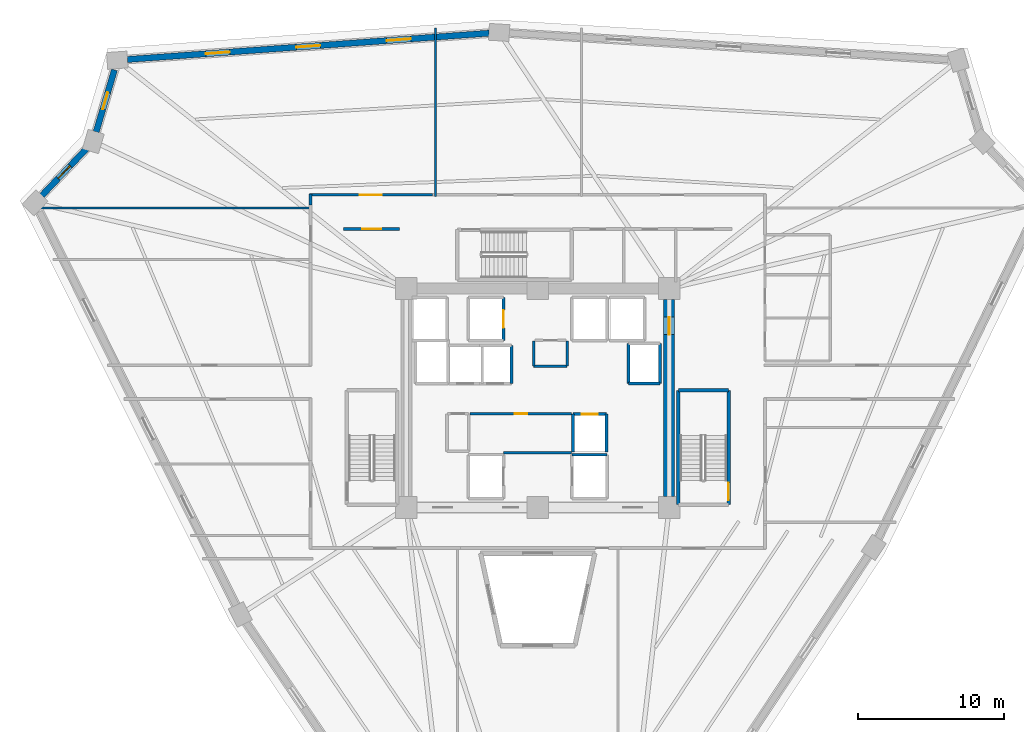
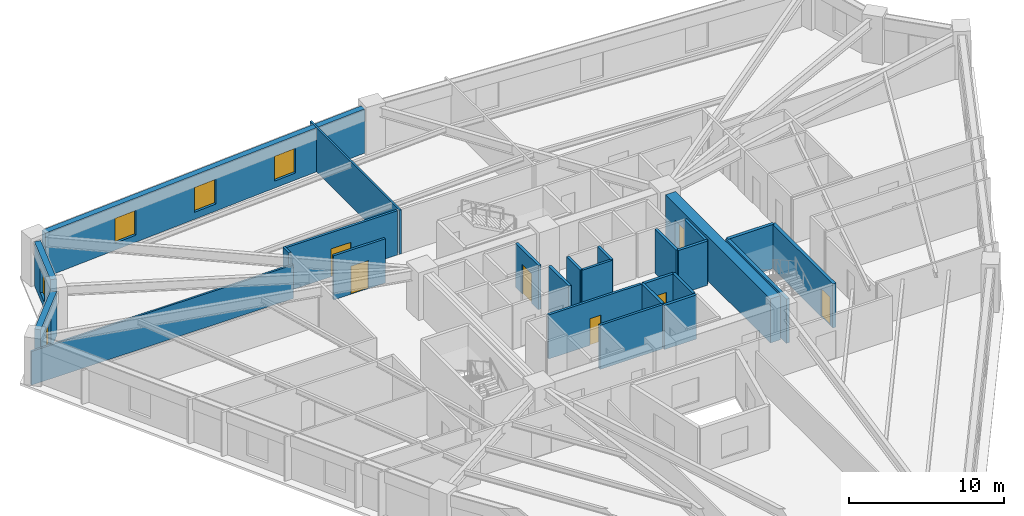
# One storey, part 5 of 8: 26 walls, 7 doors, 5 windows, 12 openings.
"""IFC4 building model written with IfcOpenShell, lengths in metres."""

from ifc_helpers import new_model, si_unit, direction, frame, frame_2d, origin, place, context, subcontext, project, spatial, rectangle, extrude, source, transform, mapped, material, layer, layer_set, type_object, element, fill, save


model = new_model("IFC4")

# Units and contexts
model_context = context("Model", 3, precision=1e-05, world=origin(), true_north=direction((0.0, 1.0)))
body_context = subcontext(model_context, "Body", "Model", "MODEL_VIEW")
ifc_project = project(units=[si_unit("LENGTHUNIT", "METRE"), si_unit("AREAUNIT", "SQUARE_METRE"), si_unit("VOLUMEUNIT", "CUBIC_METRE"), si_unit("PLANEANGLEUNIT", "RADIAN"), si_unit("MASSUNIT", "GRAM", prefix="KILO")], contexts=[model_context])

# Site, building, storey
site_placement = place(None, origin())
site = spatial("IfcSite", under=ifc_project, at=site_placement, CompositionType="ELEMENT")
building_placement = place(site_placement, origin())
building = spatial("IfcBuilding", under=site, at=building_placement, Name="Liaohun Quay Tower", CompositionType="ELEMENT")
storey_placement = place(building_placement, frame((0.0, 0.0, 181.5)))
storey = spatial("IfcBuildingStorey", under=building, at=storey_placement, Name="L47", CompositionType="ELEMENT", Elevation=181.5)

# Wall, opening, door
ifc_material_1 = material(Name="Concrete C60", Category="concrete")
ifc_layer_1 = layer(ifc_material_1, 0.75, Name="Concrete C60", Category="concrete")
ifc_layer_set_1 = layer_set([ifc_layer_1], Name="Concrete C60")
wall_type_1 = type_object("IfcWallType", Name="WAL-COR-Z2", PredefinedType="SHEAR", material=ifc_layer_set_1)
wall_1_placement = place(storey_placement, frame((69.0, 60.75, 0.0), z_axis=(0.0, 0.0, 1.0), x_axis=(0.0, -1.0, 0.0)))
wall_1 = element("IfcWall", 1, at=wall_1_placement, inside=storey, type_object=wall_type_1, Name="L47 Central Core Shear Wall E", PredefinedType="SHEAR", context=body_context, shape_type="SweptSolid", body=[
    extrude(rectangle(XDim=13.5, YDim=0.75, at=frame_2d((6.75, 0.0))), origin(), (0.0, 0.0, 1.0), 3.469970703125),
])
shared_shape_1 = source(origin(), body_context, "Body", "SweptSolid", [
    extrude(rectangle(XDim=1.199951171875, YDim=2.199951171875, at=frame_2d((0.60009765625, 1.10009765625))), frame((0.0, 0.385009765625, 0.0), z_axis=(0.0, -1.0, 0.0), x_axis=(1.0, 0.0, 0.0)), (0.0, 0.0, 1.0), 0.77001953125),
])
opening_1_placement = place(wall_1_placement, frame((1.199951171875, 0.0, 0.0)))
opening_1 = element("IfcOpeningElement", 2, at=opening_1_placement, cuts=wall_1, Name="Opening SD1", PredefinedType="OPENING", context=body_context, shape_type="MappedRepresentation", body=[
    mapped(shared_shape_1, transform((0.0, 0.0, 0.0), x_axis=(1.0, 0.0, 0.0), y_axis=(0.0, 1.0, 0.0), z_axis=(0.0, 0.0, 1.0), scale=1.0)),
])
ifc_material_2 = material(Name="Galvanised steel fire door", Category="steel")
door_type_1 = type_object("IfcDoorType", Name="DOR-STR-1200", OperationType="NOTDEFINED", PredefinedType="DOOR", material=ifc_material_2)
shared_shape_2 = source(origin(), body_context, "Body", "SweptSolid", [
    extrude(rectangle(XDim=1.199951171875, YDim=2.199951171875, at=frame_2d((0.60009765625, 1.10009765625))), frame((0.0, 0.02490234375, 0.0), z_axis=(0.0, -1.0, 0.0), x_axis=(1.0, 0.0, 0.0)), (0.0, 0.0, 1.0), 0.050048828125),
])
door_1_placement = place(opening_1_placement, origin())
door_1 = element("IfcDoor", 3, at=door_1_placement, inside=storey, type_object=door_type_1, Name="L47 North-East Core Lobby Smokeproof Door", OperationType="SINGLE_SWING_LEFT", OverallHeight=2.199951171875, OverallWidth=1.199951171875, PredefinedType="DOOR", context=body_context, shape_type="MappedRepresentation", body=[
    mapped(shared_shape_2, transform((0.0, 0.0, 0.0), x_axis=(1.0, 0.0, 0.0), y_axis=(0.0, 1.0, 0.0), z_axis=(0.0, 0.0, 1.0), scale=1.0)),
])
fill(opening_1, door_1)

# Wall, openings, windows
ifc_material_3 = material(Name="Precast concrete C50 insulated sandwich", Category="concrete")
ifc_layer_2 = layer(ifc_material_3, 0.419921875, Name="Precast concrete C50 insulated sandwich", Category="concrete")
ifc_layer_set_2 = layer_set([ifc_layer_2], Name="Precast concrete C50 insulated sandwich")
wall_type_2 = type_object("IfcWallType", Name="WAL-EXT-Z12", PredefinedType="SOLIDWALL", material=ifc_layer_set_2)
wall_2_placement = place(storey_placement, frame((56.66796875, 78.98291015625, 0.0), z_axis=(0.0, 0.0, 1.0), x_axis=(-0.997363346267, -0.07256965979, 0.0)))
wall_2 = element("IfcWall", 4, at=wall_2_placement, inside=storey, type_object=wall_type_2, Name="L47 Brutalist Precast Pier Wall 07", PredefinedType="SOLIDWALL", context=body_context, shape_type="SweptSolid", body=[
    extrude(rectangle(XDim=24.831298828125, YDim=0.419921875, at=frame_2d((12.41552734375, 0.0))), origin(), (0.0, 0.0, 1.0), 3.469970703125),
])
shared_shape_3 = source(origin(), body_context, "Body", "SweptSolid", [
    extrude(rectangle(XDim=1.64990234375, YDim=1.949951171875, at=frame_2d((0.824951171875, 0.97509765625))), frame((0.0, 0.219970703125, 0.0), z_axis=(0.0, -1.0, 0.0), x_axis=(1.0, 0.0, 0.0)), (0.0, 0.0, 1.0), 0.43994140625),
])
opening_2_placement = place(wall_2_placement, frame((5.383056640625, 0.0, 0.550048828125)))
opening_2 = element("IfcOpeningElement", 5, at=opening_2_placement, cuts=wall_2, Name="Opening W02", PredefinedType="OPENING", context=body_context, shape_type="MappedRepresentation", body=[
    mapped(shared_shape_3, transform((0.0, 0.0, 0.0), x_axis=(1.0, 0.0, 0.0), y_axis=(0.0, 1.0, 0.0), z_axis=(0.0, 0.0, 1.0), scale=1.0)),
])
opening_3_placement = place(wall_2_placement, frame((11.591064453125, 0.0, 0.550048828125)))
opening_3 = element("IfcOpeningElement", 6, at=opening_3_placement, cuts=wall_2, Name="Opening W02", PredefinedType="OPENING", context=body_context, shape_type="MappedRepresentation", body=[
    mapped(shared_shape_3, transform((0.0, 0.0, 0.0), x_axis=(1.0, 0.0, 0.0), y_axis=(0.0, 1.0, 0.0), z_axis=(0.0, 0.0, 1.0), scale=1.0)),
])
opening_4_placement = place(wall_2_placement, frame((17.799072265625, 0.0, 0.550048828125)))
opening_4 = element("IfcOpeningElement", 7, at=opening_4_placement, cuts=wall_2, Name="Opening W02", PredefinedType="OPENING", context=body_context, shape_type="MappedRepresentation", body=[
    mapped(shared_shape_3, transform((0.0, 0.0, 0.0), x_axis=(1.0, 0.0, 0.0), y_axis=(0.0, 1.0, 0.0), z_axis=(0.0, 0.0, 1.0), scale=1.0)),
])
ifc_material_4 = material(Name="Triple Low-E argon glazing in thermally broken aluminium", Category="aluminium")
window_type_1 = type_object("IfcWindowType", Name="WIN-PUN-Z2", PartitioningType="DOUBLE_PANEL_VERTICAL", PredefinedType="WINDOW", material=ifc_material_4)
shared_shape_4 = source(origin(), body_context, "Body", "SweptSolid", [
    extrude(rectangle(XDim=1.64990234375, YDim=1.949951171875, at=frame_2d((0.824951171875, 0.97509765625))), frame((0.0, 0.030029296875, 0.0), z_axis=(0.0, -1.0, 0.0), x_axis=(1.0, 0.0, 0.0)), (0.0, 0.0, 1.0), 0.06005859375),
])
window_1_placement = place(opening_2_placement, origin())
window_1 = element("IfcWindow", 8, at=window_1_placement, inside=storey, type_object=window_type_1, Name="L47 Recessed Cold-Climate Punched Window 07-1", OverallHeight=1.949951171875, OverallWidth=1.64990234375, PartitioningType="DOUBLE_PANEL_VERTICAL", PredefinedType="WINDOW", context=body_context, shape_type="MappedRepresentation", body=[
    mapped(shared_shape_4, transform((0.0, 0.0, 0.0), x_axis=(1.0, 0.0, 0.0), y_axis=(0.0, 1.0, 0.0), z_axis=(0.0, 0.0, 1.0), scale=1.0)),
])
fill(opening_2, window_1)
window_2_placement = place(opening_3_placement, origin())
window_2 = element("IfcWindow", 9, at=window_2_placement, inside=storey, type_object=window_type_1, Name="L47 Recessed Cold-Climate Punched Window 07-2", OverallHeight=1.949951171875, OverallWidth=1.64990234375, PartitioningType="DOUBLE_PANEL_VERTICAL", PredefinedType="WINDOW", context=body_context, shape_type="MappedRepresentation", body=[
    mapped(shared_shape_4, transform((0.0, 0.0, 0.0), x_axis=(1.0, 0.0, 0.0), y_axis=(0.0, 1.0, 0.0), z_axis=(0.0, 0.0, 1.0), scale=1.0)),
])
fill(opening_3, window_2)
window_3_placement = place(opening_4_placement, origin())
window_3 = element("IfcWindow", 10, at=window_3_placement, inside=storey, type_object=window_type_1, Name="L47 Recessed Cold-Climate Punched Window 07-3", OverallHeight=1.949951171875, OverallWidth=1.64990234375, PartitioningType="DOUBLE_PANEL_VERTICAL", PredefinedType="WINDOW", context=body_context, shape_type="MappedRepresentation", body=[
    mapped(shared_shape_4, transform((0.0, 0.0, 0.0), x_axis=(1.0, 0.0, 0.0), y_axis=(0.0, 1.0, 0.0), z_axis=(0.0, 0.0, 1.0), scale=1.0)),
])
fill(opening_4, window_3)

# Wall, opening, window
wall_3_placement = place(storey_placement, frame((31.01904296875, 76.468994140625, 0.0), z_axis=(0.0, 0.0, 1.0), x_axis=(-0.282982489087, -0.959125075717, 0.0)))
wall_3 = element("IfcWall", 11, at=wall_3_placement, inside=storey, type_object=wall_type_2, Name="L47 Brutalist Precast Pier Wall 08", PredefinedType="SOLIDWALL", context=body_context, shape_type="SweptSolid", body=[
    extrude(rectangle(XDim=4.420654296875, YDim=0.419921875, at=frame_2d((2.21044921875, 0.0))), origin(), (0.0, 0.0, 1.0), 3.469970703125),
])
shared_shape_5 = source(origin(), body_context, "Body", "SweptSolid", [
    extrude(rectangle(XDim=1.199951171875, YDim=1.89990234375, at=frame_2d((0.60009765625, 0.949951171875))), frame((0.0, 0.219970703125, 0.0), z_axis=(0.0, -1.0, 0.0), x_axis=(1.0, 0.0, 0.0)), (0.0, 0.0, 1.0), 0.43994140625),
])
opening_5_placement = place(wall_3_placement, frame((1.610107421875, 0.0, 0.550048828125)))
opening_5 = element("IfcOpeningElement", 12, at=opening_5_placement, cuts=wall_3, Name="Opening W05", PredefinedType="OPENING", context=body_context, shape_type="MappedRepresentation", body=[
    mapped(shared_shape_5, transform((0.0, 0.0, 0.0), x_axis=(1.0, 0.0, 0.0), y_axis=(0.0, 1.0, 0.0), z_axis=(0.0, 0.0, 1.0), scale=1.0)),
])
ifc_material_5 = material(Name="Triple Low-E corner notch glazing", Category="glass")
window_type_2 = type_object("IfcWindowType", Name="WIN-NOTCH", PartitioningType="SINGLE_PANEL", PredefinedType="WINDOW", material=ifc_material_5)
shared_shape_6 = source(origin(), body_context, "Body", "SweptSolid", [
    extrude(rectangle(XDim=1.199951171875, YDim=1.89990234375, at=frame_2d((0.60009765625, 0.949951171875))), frame((0.0, 0.030029296875, 0.0), z_axis=(0.0, -1.0, 0.0), x_axis=(1.0, 0.0, 0.0)), (0.0, 0.0, 1.0), 0.06005859375),
])
window_4_placement = place(opening_5_placement, origin())
window_4 = element("IfcWindow", 13, at=window_4_placement, inside=storey, type_object=window_type_2, Name="L47 Corner Notch Window W05-08", OverallHeight=1.89990234375, OverallWidth=1.199951171875, PartitioningType="SINGLE_PANEL", PredefinedType="WINDOW", context=body_context, shape_type="MappedRepresentation", body=[
    mapped(shared_shape_6, transform((0.0, 0.0, 0.0), x_axis=(1.0, 0.0, 0.0), y_axis=(0.0, 1.0, 0.0), z_axis=(0.0, 0.0, 1.0), scale=1.0)),
])
fill(opening_5, window_4)

wall_4_placement = place(storey_placement, frame((29.096923828125, 71.06689453125, 0.0), z_axis=(0.0, 0.0, 1.0), x_axis=(-0.689235021259, -0.724537842676, 0.0)))
wall_4 = element("IfcWall", 14, at=wall_4_placement, inside=storey, type_object=wall_type_2, Name="L47 Brutalist Precast Pier Wall 09", PredefinedType="SOLIDWALL", context=body_context, shape_type="SweptSolid", body=[
    extrude(rectangle(XDim=4.412109375, YDim=0.419921875, at=frame_2d((2.2060546875, 0.0))), origin(), (0.0, 0.0, 1.0), 3.469970703125),
])
opening_6_placement = place(wall_4_placement, frame((1.60595703125, 0.0, 0.550048828125)))
opening_6 = element("IfcOpeningElement", 15, at=opening_6_placement, cuts=wall_4, Name="Opening W05", PredefinedType="OPENING", context=body_context, shape_type="MappedRepresentation", body=[
    mapped(shared_shape_5, transform((0.0, 0.0, 0.0), x_axis=(1.0, 0.0, 0.0), y_axis=(0.0, 1.0, 0.0), z_axis=(0.0, 0.0, 1.0), scale=1.0)),
])
window_5_placement = place(opening_6_placement, origin())
window_5 = element("IfcWindow", 16, at=window_5_placement, inside=storey, type_object=window_type_2, Name="L47 Corner Notch Window W05-09", OverallHeight=1.89990234375, OverallWidth=1.199951171875, PartitioningType="SINGLE_PANEL", PredefinedType="WINDOW", context=body_context, shape_type="MappedRepresentation", body=[
    mapped(shared_shape_6, transform((0.0, 0.0, 0.0), x_axis=(1.0, 0.0, 0.0), y_axis=(0.0, 1.0, 0.0), z_axis=(0.0, 0.0, 1.0), scale=1.0)),
])
fill(opening_6, window_5)

# Wall, opening, door
ifc_material_6 = material(Name="Autoclaved aerated concrete blockwork", Category="masonry")
ifc_layer_3 = layer(ifc_material_6, 0.179931640625, Name="Autoclaved aerated concrete blockwork", Category="masonry")
ifc_layer_set_3 = layer_set([ifc_layer_3], Name="Autoclaved aerated concrete blockwork")
wall_type_3 = type_object("IfcWallType", Name="WAL-PRT-COR", PredefinedType="PARTITIONING", material=ifc_layer_set_3)
wall_5_placement = place(storey_placement, frame((55.3701171875, 52.919921875, 0.0), z_axis=(0.0, 0.0, 1.0), x_axis=(1.0, 0.0, 0.0)))
wall_5 = element("IfcWall", 17, at=wall_5_placement, inside=storey, type_object=wall_type_3, Name="L47 Interior Partition Wall 001", PredefinedType="PARTITIONING", context=body_context, shape_type="SweptSolid", body=[
    extrude(rectangle(XDim=6.929931640625, YDim=0.179931640625, at=frame_2d((3.46484375, 0.0))), origin(), (0.0, 0.0, 1.0), 3.469970703125),
])
shared_shape_7 = source(origin(), body_context, "Body", "SweptSolid", [
    extrude(rectangle(XDim=0.85009765625, YDim=2.10009765625, at=frame_2d((0.425048828125, 1.050048828125))), frame((0.0, 0.099853515625, 0.0), z_axis=(0.0, -1.0, 0.0), x_axis=(1.0, 0.0, 0.0)), (0.0, 0.0, 1.0), 0.199951171875),
])
opening_7_placement = place(wall_5_placement, frame((3.054931640625, 0.0, 0.0)))
opening_7 = element("IfcOpeningElement", 18, at=opening_7_placement, cuts=wall_5, Name="Opening AD1", PredefinedType="OPENING", context=body_context, shape_type="MappedRepresentation", body=[
    mapped(shared_shape_7, transform((0.0, 0.0, 0.0), x_axis=(1.0, 0.0, 0.0), y_axis=(0.0, 1.0, 0.0), z_axis=(0.0, 0.0, 1.0), scale=1.0)),
])
ifc_material_7 = material(Name="Steel riser inspection fire door", Category="steel")
door_type_2 = type_object("IfcDoorType", Name="DOR-SHF-850", OperationType="NOTDEFINED", PredefinedType="DOOR", material=ifc_material_7)
shared_shape_8 = source(origin(), body_context, "Body", "SweptSolid", [
    extrude(rectangle(XDim=0.85009765625, YDim=2.10009765625, at=frame_2d((0.425048828125, 1.050048828125))), frame((0.0, 0.02490234375, 0.0), z_axis=(0.0, -1.0, 0.0), x_axis=(1.0, 0.0, 0.0)), (0.0, 0.0, 1.0), 0.050048828125),
])
door_2_placement = place(opening_7_placement, origin())
door_2 = element("IfcDoor", 19, at=door_2_placement, inside=storey, type_object=door_type_2, Name="L47 Core Tenant Storage and Archive Room Door", OperationType="SINGLE_SWING_LEFT", OverallHeight=2.10009765625, OverallWidth=0.85009765625, PredefinedType="DOOR", context=body_context, shape_type="MappedRepresentation", body=[
    mapped(shared_shape_8, transform((0.0, 0.0, 0.0), x_axis=(1.0, 0.0, 0.0), y_axis=(0.0, 1.0, 0.0), z_axis=(0.0, 0.0, 1.0), scale=1.0)),
])
fill(opening_7, door_2)

wall_6_placement = place(storey_placement, frame((46.699951171875, 65.580078125, 0.0), z_axis=(0.0, 0.0, 1.0), x_axis=(1.0, 0.0, 0.0)))
wall_6 = element("IfcWall", 20, at=wall_6_placement, inside=storey, type_object=wall_type_3, Name="L47 Interior Partition Wall 009", PredefinedType="PARTITIONING", context=body_context, shape_type="SweptSolid", body=[
    extrude(rectangle(XDim=3.840087890625, YDim=0.179931640625, at=frame_2d((1.919921875, 0.0))), origin(), (0.0, 0.0, 1.0), 3.469970703125),
])
shared_shape_9 = source(origin(), body_context, "Body", "SweptSolid", [
    extrude(rectangle(XDim=1.300048828125, YDim=2.199951171875, at=frame_2d((0.64990234375, 1.10009765625))), frame((0.0, 0.099853515625, 0.0), z_axis=(0.0, -1.0, 0.0), x_axis=(1.0, 0.0, 0.0)), (0.0, 0.0, 1.0), 0.199951171875),
])
opening_8_placement = place(wall_6_placement, frame((1.27001953125, 0.0, 0.0)))
opening_8 = element("IfcOpeningElement", 21, at=opening_8_placement, cuts=wall_6, Name="Opening FD1", PredefinedType="OPENING", context=body_context, shape_type="MappedRepresentation", body=[
    mapped(shared_shape_9, transform((0.0, 0.0, 0.0), x_axis=(1.0, 0.0, 0.0), y_axis=(0.0, 1.0, 0.0), z_axis=(0.0, 0.0, 1.0), scale=1.0)),
])
ifc_material_8 = material(Name="Galvanised steel smokeproof fire door", Category="steel")
door_type_3 = type_object("IfcDoorType", Name="DOR-FFL-1300", OperationType="NOTDEFINED", PredefinedType="DOOR", material=ifc_material_8)
shared_shape_10 = source(origin(), body_context, "Body", "SweptSolid", [
    extrude(rectangle(XDim=1.300048828125, YDim=2.199951171875, at=frame_2d((0.64990234375, 1.10009765625))), frame((0.0, 0.02490234375, 0.0), z_axis=(0.0, -1.0, 0.0), x_axis=(1.0, 0.0, 0.0)), (0.0, 0.0, 1.0), 0.050048828125),
])
door_3_placement = place(opening_8_placement, origin())
door_3 = element("IfcDoor", 22, at=door_3_placement, inside=storey, type_object=door_type_3, Name="L47 West Core Vestibule Door", OperationType="SINGLE_SWING_LEFT", OverallHeight=2.199951171875, OverallWidth=1.300048828125, PredefinedType="DOOR", context=body_context, shape_type="MappedRepresentation", body=[
    mapped(shared_shape_10, transform((0.0, 0.0, 0.0), x_axis=(1.0, 0.0, 0.0), y_axis=(0.0, 1.0, 0.0), z_axis=(0.0, 0.0, 1.0), scale=1.0)),
])
fill(opening_8, door_3)

wall_7_placement = place(storey_placement, frame((44.3701171875, 67.909912109375, 0.0), z_axis=(0.0, 0.0, 1.0), x_axis=(1.0, 0.0, 0.0)))
wall_7 = element("IfcWall", 23, at=wall_7_placement, inside=storey, type_object=wall_type_3, Name="L47 Interior Partition Wall 014", PredefinedType="PARTITIONING", context=body_context, shape_type="SweptSolid", body=[
    extrude(rectangle(XDim=8.414794921875, YDim=0.179931640625, at=frame_2d((4.20751953125, 0.0))), origin(), (0.0, 0.0, 1.0), 3.469970703125),
])
shared_shape_11 = source(origin(), body_context, "Body", "SweptSolid", [
    extrude(rectangle(XDim=1.5, YDim=2.199951171875, at=frame_2d((0.75, 1.10009765625))), frame((0.0, 0.099853515625, 0.0), z_axis=(0.0, -1.0, 0.0), x_axis=(1.0, 0.0, 0.0)), (0.0, 0.0, 1.0), 0.199951171875),
])
opening_9_placement = place(wall_7_placement, frame((3.45703125, 0.0, 0.0)))
opening_9 = element("IfcOpeningElement", 24, at=opening_9_placement, cuts=wall_7, Name="Opening OD2", PredefinedType="OPENING", context=body_context, shape_type="MappedRepresentation", body=[
    mapped(shared_shape_11, transform((0.0, 0.0, 0.0), x_axis=(1.0, 0.0, 0.0), y_axis=(0.0, 1.0, 0.0), z_axis=(0.0, 0.0, 1.0), scale=1.0)),
])
ifc_material_9 = material(Name="Acoustic oak veneer double door")
door_type_4 = type_object("IfcDoorType", Name="DOR-OFF-1500", OperationType="DOUBLE_DOOR_SINGLE_SWING", PredefinedType="DOOR", material=ifc_material_9)
shared_shape_12 = source(origin(), body_context, "Body", "SweptSolid", [
    extrude(rectangle(XDim=1.5, YDim=2.199951171875, at=frame_2d((0.75, 1.10009765625))), frame((0.0, 0.02490234375, 0.0), z_axis=(0.0, -1.0, 0.0), x_axis=(1.0, 0.0, 0.0)), (0.0, 0.0, 1.0), 0.050048828125),
])
door_4_placement = place(opening_9_placement, origin())
door_4 = element("IfcDoor", 25, at=door_4_placement, inside=storey, type_object=door_type_4, Name="L47 Project Collaboration Studio 04 Door", OperationType="DOUBLE_DOOR_SINGLE_SWING", OverallHeight=2.199951171875, OverallWidth=1.5, PredefinedType="DOOR", context=body_context, shape_type="MappedRepresentation", body=[
    mapped(shared_shape_12, transform((0.0, 0.0, 0.0), x_axis=(1.0, 0.0, 0.0), y_axis=(0.0, 1.0, 0.0), z_axis=(0.0, 0.0, 1.0), scale=1.0)),
])
fill(opening_9, door_4)

# Walls
for number, where, z_axis, x_axis, name in (
    (26, (59.719970703125, 56.179931640625, 0.0), (0.0, 0.0, 1.0), (0.0, 1.0, 0.0), "L47 Interior Partition Wall 024"),
    (27, (62.010009765625, 56.179931640625, 0.0), (0.0, 0.0, 1.0), (0.0, 1.0, 0.0), "L47 Interior Partition Wall 025"),
):
    element("IfcWall", number, at=place(storey_placement, frame(where, z_axis=z_axis, x_axis=x_axis)), inside=storey, type_object=wall_type_3, Name=name, PredefinedType="PARTITIONING", context=body_context, shape_type="SweptSolid", body=[
        extrude(rectangle(XDim=1.739990234375, YDim=0.179931640625, at=frame_2d((0.8701171875, 0.0))), origin(), (0.0, 0.0, 1.0), 3.469970703125),
    ])
wall_8_placement = place(storey_placement, frame((59.719970703125, 56.179931640625, 0.0), z_axis=(0.0, 0.0, 1.0), x_axis=(1.0, 0.0, 0.0)))
element("IfcWall", 28, at=wall_8_placement, inside=storey, type_object=wall_type_3, Name="L47 Interior Partition Wall 026", PredefinedType="PARTITIONING", context=body_context, shape_type="SweptSolid", body=[
    extrude(rectangle(XDim=2.2900390625, YDim=0.179931640625, at=frame_2d((1.14501953125, 0.0))), origin(), (0.0, 0.0, 1.0), 3.469970703125),
])
wall_9_placement = place(storey_placement, frame((44.43994140625, 67.215087890625, 0.0), z_axis=(0.0, 0.0, 1.0), x_axis=(0.0, 1.0, 0.0)))
element("IfcWall", 29, at=wall_9_placement, inside=storey, type_object=wall_type_3, Name="L47 Interior Partition Wall 039", PredefinedType="PARTITIONING", context=body_context, shape_type="SweptSolid", body=[
    extrude(rectangle(XDim=0.764892578125, YDim=0.179931640625, at=frame_2d((0.38232421875, 0.0))), origin(), (0.0, 0.0, 1.0), 3.469970703125),
])
wall_10_placement = place(storey_placement, frame((57.64990234375, 50.25, 0.0), z_axis=(0.0, 0.0, 1.0), x_axis=(1.0, 0.0, 0.0)))
element("IfcWall", 30, at=wall_10_placement, inside=storey, type_object=wall_type_3, Name="L47 Interior Partition Wall 057", PredefinedType="PARTITIONING", context=body_context, shape_type="SweptSolid", body=[
    extrude(rectangle(XDim=4.650146484375, YDim=0.179931640625, at=frame_2d((2.3251953125, 0.0))), origin(), (0.0, 0.0, 1.0), 3.469970703125),
])
ifc_material_10 = material(Name="Gypsum board on twin steel studs", Category="steel")
ifc_layer_4 = layer(ifc_material_10, 0.139892578125, Name="Gypsum board on twin steel studs", Category="steel")
ifc_layer_set_4 = layer_set([ifc_layer_4], Name="Gypsum board on twin steel studs")
wall_type_4 = type_object("IfcWallType", Name="WAL-PRT-OFF", PredefinedType="PARTITIONING", material=ifc_layer_set_4)
wall_11_placement = place(storey_placement, frame((44.5400390625, 67.0, 0.0), z_axis=(0.0, 0.0, 1.0), x_axis=(-1.0, 0.0, 0.0)))
element("IfcWall", 31, at=wall_11_placement, inside=storey, type_object=wall_type_4, Name="L47 Interior Partition Wall 049", PredefinedType="PARTITIONING", context=body_context, shape_type="SweptSolid", body=[
    extrude(rectangle(XDim=19.47998046875, YDim=0.139892578125, at=frame_2d((9.739990234375, 0.0))), origin(), (0.0, 0.0, 1.0), 2.655029296875),
])
wall_12_placement = place(storey_placement, frame((53.0, 67.81005859375, 0.0), z_axis=(0.0, 0.0, 1.0), x_axis=(0.0, 1.0, 0.0)))
element("IfcWall", 32, at=wall_12_placement, inside=storey, type_object=wall_type_4, Name="L47 Interior Partition Wall 053", PredefinedType="PARTITIONING", context=body_context, shape_type="SweptSolid", body=[
    extrude(rectangle(XDim=11.537841796875, YDim=0.139892578125, at=frame_2d((5.76904296875, 0.0))), origin(), (0.0, 0.0, 1.0), 3.469970703125),
])

# Wall, opening, door
ifc_material_11 = material(Name="Concrete C50", Category="concrete")
ifc_layer_5 = layer(ifc_material_11, 0.239990234375, Name="Concrete C50", Category="concrete")
ifc_layer_set_5 = layer_set([ifc_layer_5], Name="Concrete C50")
wall_type_5 = type_object("IfcWallType", Name="WAL-SHF-200", PredefinedType="SOLIDWALL", material=ifc_layer_set_5)
wall_13_placement = place(storey_placement, frame((73.06005859375, 46.699951171875, 0.0), z_axis=(0.0, 0.0, 1.0), x_axis=(0.0, 1.0, 0.0)))
wall_13 = element("IfcWall", 33, at=wall_13_placement, inside=storey, type_object=wall_type_5, Name="L47 Stairwell ST-2 Structural Core Wall E", PredefinedType="SOLIDWALL", context=body_context, shape_type="SweptSolid", body=[
    extrude(rectangle(XDim=7.820068359375, YDim=0.239990234375, at=frame_2d((3.91015625, 0.0))), origin(), (0.0, 0.0, 1.0), 3.469970703125),
])
shared_shape_13 = source(origin(), body_context, "Body", "SweptSolid", [
    extrude(rectangle(XDim=1.199951171875, YDim=2.199951171875, at=frame_2d((0.60009765625, 1.10009765625))), frame((0.0, 0.1298828125, 0.0), z_axis=(0.0, -1.0, 0.0), x_axis=(1.0, 0.0, 0.0)), (0.0, 0.0, 1.0), 0.260009765625),
])
opening_10_placement = place(wall_13_placement, frame((0.320068359375, 0.0, 0.0)))
opening_10 = element("IfcOpeningElement", 34, at=opening_10_placement, cuts=wall_13, Name="Opening SD1", PredefinedType="OPENING", context=body_context, shape_type="MappedRepresentation", body=[
    mapped(shared_shape_13, transform((0.0, 0.0, 0.0), x_axis=(1.0, 0.0, 0.0), y_axis=(0.0, 1.0, 0.0), z_axis=(0.0, 0.0, 1.0), scale=1.0)),
])
door_5_placement = place(opening_10_placement, origin())
door_5 = element("IfcDoor", 35, at=door_5_placement, inside=storey, type_object=door_type_1, Name="L47 Protected Stair ST-2 Fire Door", OperationType="SINGLE_SWING_RIGHT", OverallHeight=2.199951171875, OverallWidth=1.199951171875, PredefinedType="DOOR", context=body_context, shape_type="MappedRepresentation", body=[
    mapped(shared_shape_2, transform((0.0, 0.0, 0.0), x_axis=(1.0, 0.0, 0.0), y_axis=(0.0, 1.0, 0.0), z_axis=(0.0, 0.0, 1.0), scale=1.0)),
])
fill(opening_10, door_5)

# Walls
wall_14_placement = place(storey_placement, frame((73.06005859375, 54.52001953125, 0.0), z_axis=(0.0, 0.0, 1.0), x_axis=(-1.0, 0.0, 0.0)))
element("IfcWall", 36, at=wall_14_placement, inside=storey, type_object=wall_type_5, Name="L47 Stairwell ST-2 Structural Core Wall N", PredefinedType="SOLIDWALL", context=body_context, shape_type="SweptSolid", body=[
    extrude(rectangle(XDim=3.43994140625, YDim=0.239990234375, at=frame_2d((1.719970703125, 0.0))), origin(), (0.0, 0.0, 1.0), 3.469970703125),
])
wall_15_placement = place(storey_placement, frame((69.6201171875, 54.52001953125, 0.0), z_axis=(0.0, 0.0, 1.0), x_axis=(0.0, -1.0, 0.0)))
element("IfcWall", 37, at=wall_15_placement, inside=storey, type_object=wall_type_5, Name="L47 Stairwell ST-2 Structural Core Wall W", PredefinedType="SOLIDWALL", context=body_context, shape_type="SweptSolid", body=[
    extrude(rectangle(XDim=7.820068359375, YDim=0.239990234375, at=frame_2d((3.91015625, 0.0))), origin(), (0.0, 0.0, 1.0), 3.469970703125),
])
wall_16_placement = place(storey_placement, frame((64.75, 50.1201171875, 0.0), z_axis=(0.0, 0.0, 1.0), x_axis=(-1.0, 0.0, 0.0)))
element("IfcWall", 38, at=wall_16_placement, inside=storey, type_object=wall_type_5, Name="L47 Lift FF-02 Hoistway Wall N", PredefinedType="SOLIDWALL", context=body_context, shape_type="SweptSolid", body=[
    extrude(rectangle(XDim=2.39990234375, YDim=0.199951171875, at=frame_2d((1.199951171875, 0.0))), origin(), (0.0, 0.0, 1.0), 3.469970703125),
])

# Wall, opening, door
wall_17_placement = place(storey_placement, frame((57.64990234375, 57.949951171875, 0.0), z_axis=(0.0, 0.0, 1.0), x_axis=(0.0, 1.0, 0.0)))
wall_17 = element("IfcWall", 39, at=wall_17_placement, inside=storey, type_object=wall_type_5, Name="L47 Lift FF-03 Hoistway Wall E", PredefinedType="SOLIDWALL", context=body_context, shape_type="SweptSolid", body=[
    extrude(rectangle(XDim=2.929931640625, YDim=0.199951171875, at=frame_2d((1.46484375, 0.0))), origin(), (0.0, 0.0, 1.0), 3.469970703125),
])
shared_shape_14 = source(origin(), body_context, "Body", "SweptSolid", [
    extrude(rectangle(XDim=1.199951171875, YDim=2.300048828125, at=frame_2d((0.60009765625, 1.14990234375))), frame((0.0, 0.10986328125, 0.0), z_axis=(0.0, -1.0, 0.0), x_axis=(1.0, 0.0, 0.0)), (0.0, 0.0, 1.0), 0.219970703125),
])
opening_11_placement = place(wall_17_placement, frame((0.864990234375, 0.0, 0.0)))
opening_11 = element("IfcOpeningElement", 40, at=opening_11_placement, cuts=wall_17, Name="Opening LD2", PredefinedType="OPENING", context=body_context, shape_type="MappedRepresentation", body=[
    mapped(shared_shape_14, transform((0.0, 0.0, 0.0), x_axis=(1.0, 0.0, 0.0), y_axis=(0.0, 1.0, 0.0), z_axis=(0.0, 0.0, 1.0), scale=1.0)),
])
ifc_material_12 = material(Name="Brushed stainless steel stretcher landing door", Category="steel")
door_type_5 = type_object("IfcDoorType", Name="DOR-LFT-1200", OperationType="SLIDING_TO_LEFT", PredefinedType="DOOR", material=ifc_material_12)
shared_shape_15 = source(origin(), body_context, "Body", "SweptSolid", [
    extrude(rectangle(XDim=1.199951171875, YDim=2.300048828125, at=frame_2d((0.60009765625, 1.14990234375))), frame((0.0, 0.02490234375, 0.0), z_axis=(0.0, -1.0, 0.0), x_axis=(1.0, 0.0, 0.0)), (0.0, 0.0, 1.0), 0.050048828125),
])
door_6_placement = place(opening_11_placement, origin())
door_6 = element("IfcDoor", 41, at=door_6_placement, inside=storey, type_object=door_type_5, Name="L47 Lift FF-03 Sliding Landing Door", OperationType="SLIDING_TO_LEFT", OverallHeight=2.300048828125, OverallWidth=1.199951171875, PredefinedType="DOOR", context=body_context, shape_type="MappedRepresentation", body=[
    mapped(shared_shape_15, transform((0.0, 0.0, 0.0), x_axis=(1.0, 0.0, 0.0), y_axis=(0.0, 1.0, 0.0), z_axis=(0.0, 0.0, 1.0), scale=1.0)),
])
fill(opening_11, door_6)

# Walls
wall_18_placement = place(storey_placement, frame((66.199951171875, 55.0, 0.0), z_axis=(0.0, 0.0, 1.0), x_axis=(1.0, 0.0, 0.0)))
element("IfcWall", 42, at=wall_18_placement, inside=storey, type_object=wall_type_5, Name="L47 Lift SH-03 Hoistway Wall S", PredefinedType="SOLIDWALL", context=body_context, shape_type="SweptSolid", body=[
    extrude(rectangle(XDim=2.179931640625, YDim=0.199951171875, at=frame_2d((1.08984375, 0.0))), origin(), (0.0, 0.0, 1.0), 3.469970703125),
])
for number, where, z_axis, x_axis, name in (
    (43, (68.3798828125, 55.0, 0.0), (0.0, 0.0, 1.0), (0.0, 1.0, 0.0), "L47 Lift SH-03 Hoistway Wall E"),
    (44, (66.199951171875, 57.75, 0.0), (0.0, 0.0, 1.0), (0.0, -1.0, 0.0), "L47 Lift SH-03 Hoistway Wall W"),
):
    element("IfcWall", number, at=place(storey_placement, frame(where, z_axis=z_axis, x_axis=x_axis)), inside=storey, type_object=wall_type_5, Name=name, PredefinedType="SOLIDWALL", context=body_context, shape_type="SweptSolid", body=[
        extrude(rectangle(XDim=2.75, YDim=0.199951171875, at=frame_2d((1.375, 0.0))), origin(), (0.0, 0.0, 1.0), 3.469970703125),
    ])
wall_19_placement = place(storey_placement, frame((64.699951171875, 50.300048828125, 0.0), z_axis=(0.0, 0.0, 1.0), x_axis=(0.0, 1.0, 0.0)))
element("IfcWall", 45, at=wall_19_placement, inside=storey, type_object=wall_type_5, Name="L47 Lift PL-2A Hoistway Wall E", PredefinedType="SOLIDWALL", context=body_context, shape_type="SweptSolid", body=[
    extrude(rectangle(XDim=2.599853515625, YDim=0.199951171875, at=frame_2d((1.2998046875, 0.0))), origin(), (0.0, 0.0, 1.0), 3.469970703125),
])

# Wall, opening, door
wall_20_placement = place(storey_placement, frame((64.699951171875, 52.89990234375, 0.0), z_axis=(0.0, 0.0, 1.0), x_axis=(-1.0, 0.0, 0.0)))
wall_20 = element("IfcWall", 46, at=wall_20_placement, inside=storey, type_object=wall_type_5, Name="L47 Lift PL-2A Hoistway Wall N", PredefinedType="SOLIDWALL", context=body_context, shape_type="SweptSolid", body=[
    extrude(rectangle(XDim=2.300048828125, YDim=0.199951171875, at=frame_2d((1.14990234375, 0.0))), origin(), (0.0, 0.0, 1.0), 3.469970703125),
])
shared_shape_16 = source(origin(), body_context, "Body", "SweptSolid", [
    extrude(rectangle(XDim=1.10009765625, YDim=2.199951171875, at=frame_2d((0.550048828125, 1.10009765625))), frame((0.0, 0.10986328125, 0.0), z_axis=(0.0, -1.0, 0.0), x_axis=(1.0, 0.0, 0.0)), (0.0, 0.0, 1.0), 0.219970703125),
])
opening_12_placement = place(wall_20_placement, frame((0.60009765625, 0.0, 0.0)))
opening_12 = element("IfcOpeningElement", 47, at=opening_12_placement, cuts=wall_20, Name="Opening LD1", PredefinedType="OPENING", context=body_context, shape_type="MappedRepresentation", body=[
    mapped(shared_shape_16, transform((0.0, 0.0, 0.0), x_axis=(1.0, 0.0, 0.0), y_axis=(0.0, 1.0, 0.0), z_axis=(0.0, 0.0, 1.0), scale=1.0)),
])
ifc_material_13 = material(Name="Brushed stainless steel landing door", Category="steel")
door_type_6 = type_object("IfcDoorType", Name="DOR-LFT-1100", OperationType="SLIDING_TO_LEFT", PredefinedType="DOOR", material=ifc_material_13)
shared_shape_17 = source(origin(), body_context, "Body", "SweptSolid", [
    extrude(rectangle(XDim=1.10009765625, YDim=2.199951171875, at=frame_2d((0.550048828125, 1.10009765625))), frame((0.0, 0.02490234375, 0.0), z_axis=(0.0, -1.0, 0.0), x_axis=(1.0, 0.0, 0.0)), (0.0, 0.0, 1.0), 0.050048828125),
])
door_7_placement = place(opening_12_placement, origin())
door_7 = element("IfcDoor", 48, at=door_7_placement, inside=storey, type_object=door_type_6, Name="L47 Lift PL-2A Sliding Landing Door", OperationType="SLIDING_TO_LEFT", OverallHeight=2.199951171875, OverallWidth=1.10009765625, PredefinedType="DOOR", context=body_context, shape_type="MappedRepresentation", body=[
    mapped(shared_shape_17, transform((0.0, 0.0, 0.0), x_axis=(1.0, 0.0, 0.0), y_axis=(0.0, 1.0, 0.0), z_axis=(0.0, 0.0, 1.0), scale=1.0)),
])
fill(opening_12, door_7)

# Walls
wall_21_placement = place(storey_placement, frame((62.39990234375, 52.89990234375, 0.0), z_axis=(0.0, 0.0, 1.0), x_axis=(0.0, -1.0, 0.0)))
element("IfcWall", 49, at=wall_21_placement, inside=storey, type_object=wall_type_5, Name="L47 Lift PL-2A Hoistway Wall W", PredefinedType="SOLIDWALL", context=body_context, shape_type="SweptSolid", body=[
    extrude(rectangle(XDim=2.599853515625, YDim=0.199951171875, at=frame_2d((1.2998046875, 0.0))), origin(), (0.0, 0.0, 1.0), 3.469970703125),
])
wall_22_placement = place(storey_placement, frame((58.199951171875, 55.0, 0.0), z_axis=(0.0, 0.0, 1.0), x_axis=(0.0, 1.0, 0.0)))
element("IfcWall", 50, at=wall_22_placement, inside=storey, type_object=wall_type_5, Name="L47 Lift PL-2C Hoistway Wall E", PredefinedType="SOLIDWALL", context=body_context, shape_type="SweptSolid", body=[
    extrude(rectangle(XDim=2.60009765625, YDim=0.199951171875, at=frame_2d((1.300048828125, 0.0))), origin(), (0.0, 0.0, 1.0), 3.469970703125),
])

save(model, "model.ifc")
